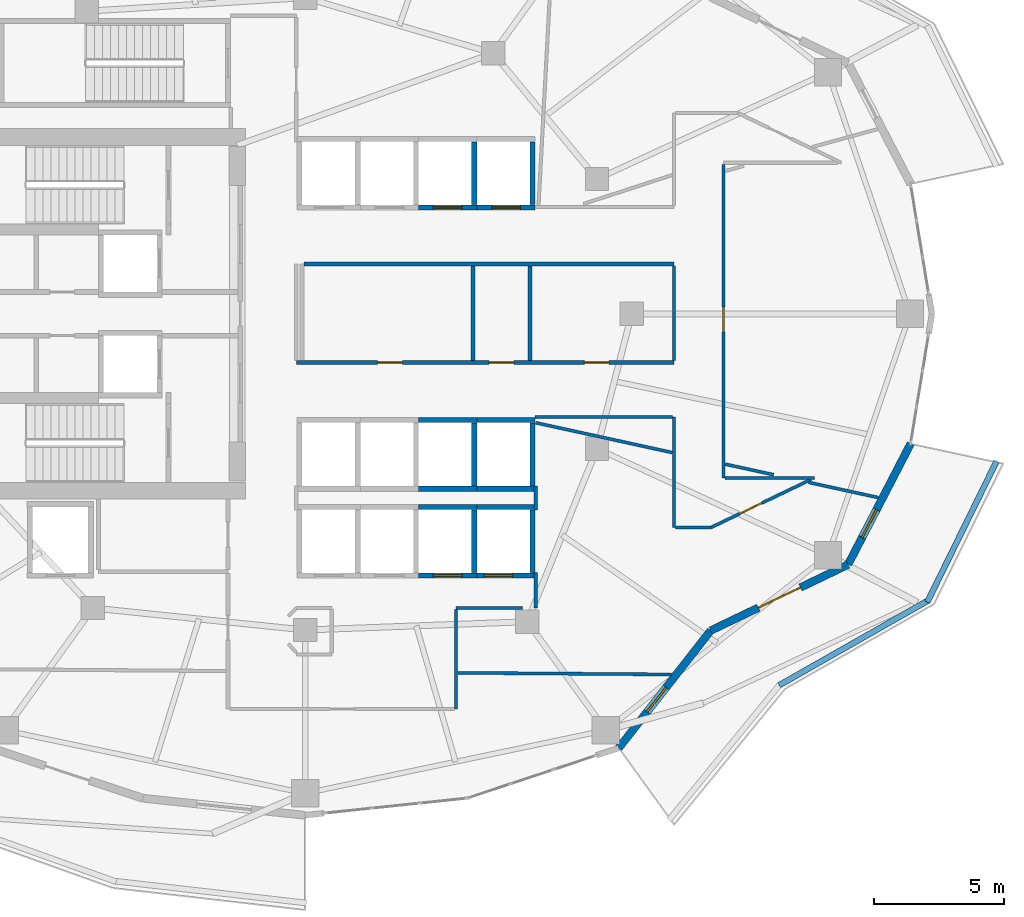
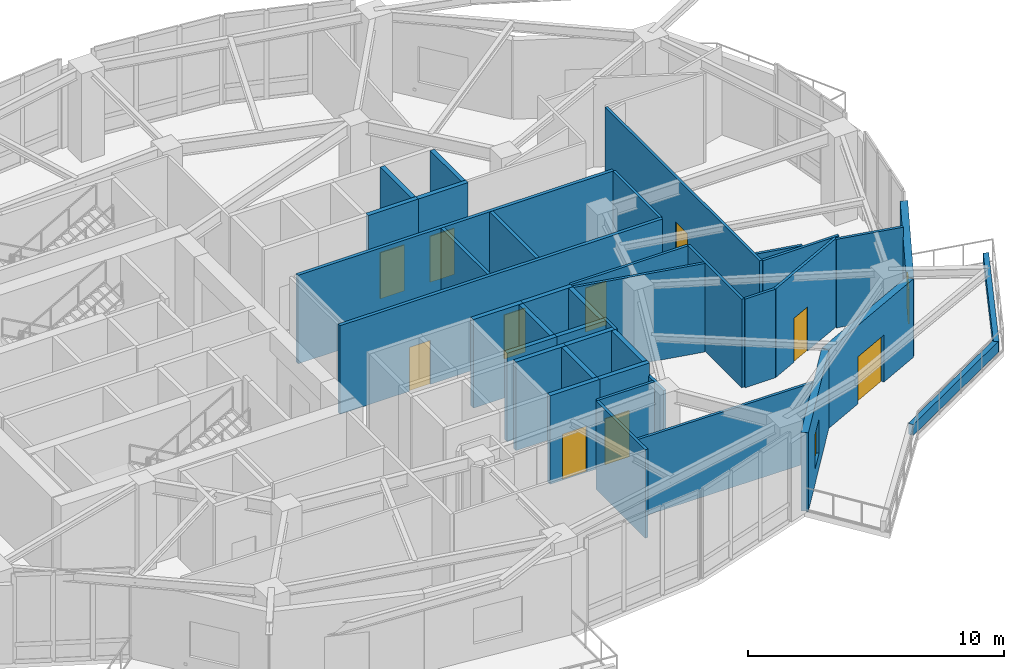
# One storey, part 12 of 16: 40 walls, 10 doors, 2 windows, 12 openings.
"""IFC4 building model written with IfcOpenShell, lengths in metres."""

from ifc_helpers import new_model, si_unit, direction, frame, frame_2d, origin, place, context, subcontext, project, spatial, rectangle, extrude, material, layer, layer_set, type_object, element, fill, save


model = new_model("IFC4")

# Units and contexts
model_context = context("Model", 3, precision=1e-05, world=origin(), true_north=direction((0.0, 1.0)))
body_context = subcontext(model_context, "Body", "Model", "MODEL_VIEW")
ifc_project = project(units=[si_unit("LENGTHUNIT", "METRE"), si_unit("AREAUNIT", "SQUARE_METRE"), si_unit("VOLUMEUNIT", "CUBIC_METRE"), si_unit("PLANEANGLEUNIT", "RADIAN"), si_unit("MASSUNIT", "GRAM", prefix="KILO")], contexts=[model_context])

# Site, building, storey
site_placement = place(None, origin())
site = spatial("IfcSite", under=ifc_project, at=site_placement, CompositionType="ELEMENT")
building_placement = place(site_placement, origin())
building = spatial("IfcBuilding", under=site, at=building_placement, Name="Kolvaren Gate Tower and Convention Centre", CompositionType="ELEMENT")
storey_placement = place(building_placement, frame((0.0, 0.0, 100.800048828125)))
storey = spatial("IfcBuildingStorey", under=building, at=storey_placement, Name="L24", CompositionType="ELEMENT", Elevation=100.800048828125)

# Walls
ifc_material_1 = material(Name="Fire-Rated Acoustic Gypsum Stud Partition", Category="gypsum")
ifc_layer_1 = layer(ifc_material_1, 0.1201171875)
ifc_layer_set_1 = layer_set([ifc_layer_1], Name="Fire-Rated Acoustic Gypsum Stud Partition")
wall_type_1 = type_object("IfcWallType", Name="ARCH-WL-PART-120", PredefinedType="PARTITIONING", material=ifc_layer_set_1)
wall_1_placement = place(storey_placement, frame((35.949951171875, 15.64990234375, 0.0), z_axis=(0.0, 0.0, 1.0), x_axis=(1.0, 0.0, 0.0)))
element("IfcWall", 1, at=wall_1_placement, inside=storey, type_object=wall_type_1, Name="Interior Partition WL-L24-INT-018", PredefinedType="PARTITIONING", context=body_context, shape_type="SweptSolid", body=[
    extrude(rectangle(XDim=2.568115234375, YDim=0.1201171875, at=frame_2d((1.2841796875, 0.0))), origin(), (0.0, 0.0, 1.0), 4.22998046875),
])
wall_2_placement = place(storey_placement, frame((35.949951171875, 11.75, 0.0), z_axis=(0.0, 0.0, 1.0), x_axis=(0.0, 1.0, 0.0)))
element("IfcWall", 2, at=wall_2_placement, inside=storey, type_object=wall_type_1, Name="Interior Partition WL-L24-INT-019", PredefinedType="PARTITIONING", context=body_context, shape_type="SweptSolid", body=[
    extrude(rectangle(XDim=3.837890625, YDim=0.1201171875, at=frame_2d((1.9189453125, 0.0))), origin(), (0.0, 0.0, 1.0), 4.22998046875),
])
wall_3_placement = place(storey_placement, frame((44.35009765625, 18.75, 0.0), z_axis=(0.0, 0.0, 1.0), x_axis=(0.0, 1.0, 0.0)))
element("IfcWall", 3, at=wall_3_placement, inside=storey, type_object=wall_type_1, Name="Interior Partition WL-L24-INT-027", PredefinedType="PARTITIONING", context=body_context, shape_type="SweptSolid", body=[
    extrude(rectangle(XDim=4.27001953125, YDim=0.1201171875, at=frame_2d((2.135009765625, 0.0))), origin(), (0.0, 0.0, 1.0), 4.22998046875),
])
wall_4_placement = place(storey_placement, frame((44.35009765625, 25.197021484375, 0.0), z_axis=(0.0, 0.0, 1.0), x_axis=(0.0, 1.0, 0.0)))
element("IfcWall", 4, at=wall_4_placement, inside=storey, type_object=wall_type_1, Name="Interior Partition WL-L24-INT-028", PredefinedType="PARTITIONING", context=body_context, shape_type="SweptSolid", body=[
    extrude(rectangle(XDim=3.64599609375, YDim=0.1201171875, at=frame_2d((1.822998046875, 0.0))), origin(), (0.0, 0.0, 1.0), 4.22998046875),
])

# Wall, opening, door
wall_5_placement = place(storey_placement, frame((46.27001953125, 20.669921875, 0.0), z_axis=(0.0, 0.0, 1.0), x_axis=(0.0, 1.0, 0.0)))
wall_5 = element("IfcWall", 5, at=wall_5_placement, inside=storey, type_object=wall_type_1, Name="Interior Partition WL-L24-INT-033", PredefinedType="PARTITIONING", context=body_context, shape_type="SweptSolid", body=[
    extrude(rectangle(XDim=12.09814453125, YDim=0.1201171875, at=frame_2d((6.049072265625, 0.0))), origin(), (0.0, 0.0, 1.0), 4.22998046875),
])
opening_1_placement = place(wall_5_placement, frame((5.63720703125, 0.0, 0.0)))
opening_1 = element("IfcOpeningElement", 6, at=opening_1_placement, cuts=wall_5, Name="Opening DR-01", PredefinedType="OPENING", context=body_context, shape_type="SweptSolid", body=[
    extrude(rectangle(XDim=0.949951171875, YDim=2.10009765625, at=frame_2d((0.47509765625, 1.050048828125))), frame((0.0, 0.070068359375, 0.0), z_axis=(0.0, -1.0, 0.0), x_axis=(1.0, 0.0, 0.0)), (0.0, 0.0, 1.0), 0.14013671875),
])
ifc_material_2 = material(Name="Painted Architectural Steelwork ASTM A500 Grade C 345 MPa", Category="steel")
door_type_1 = type_object("IfcDoorType", Name="ARCH-DR-RISER-950", OperationType="SINGLE_SWING_RIGHT", PredefinedType="DOOR", material=ifc_material_2)
door_1_placement = place(opening_1_placement, origin())
door_1 = element("IfcDoor", 7, at=door_1_placement, inside=storey, type_object=door_type_1, Name="Botanical Reading Clubroom Door", OperationType="SINGLE_SWING_RIGHT", OverallHeight=2.10009765625, OverallWidth=0.949951171875, PredefinedType="DOOR", context=body_context, shape_type="SweptSolid", body=[
    extrude(rectangle(XDim=0.949951171875, YDim=2.10009765625, at=frame_2d((0.47509765625, 1.050048828125))), frame((0.0, 0.02490234375, 0.0), z_axis=(0.0, -1.0, 0.0), x_axis=(1.0, 0.0, 0.0)), (0.0, 0.0, 1.0), 0.050048828125),
])
fill(opening_1, door_1)

# Wall
wall_6_placement = place(storey_placement, frame((46.33203125, 20.669921875, 0.0), z_axis=(0.0, 0.0, 1.0), x_axis=(1.0, 0.0, 0.0)))
element("IfcWall", 8, at=wall_6_placement, inside=storey, type_object=wall_type_1, Name="Interior Partition WL-L24-INT-034", PredefinedType="PARTITIONING", context=body_context, shape_type="SweptSolid", body=[
    extrude(rectangle(XDim=3.43505859375, YDim=0.1201171875, at=frame_2d((1.717529296875, 0.0))), origin(), (0.0, 0.0, 1.0), 4.22998046875),
])

# Wall, opening, door
wall_7_placement = place(storey_placement, frame((45.77099609375, 18.75, 0.0), z_axis=(0.0, 0.0, 1.0), x_axis=(0.901361373705, 0.433067747578, 0.0)))
wall_7 = element("IfcWall", 9, at=wall_7_placement, inside=storey, type_object=wall_type_1, Name="Interior Partition WL-L24-INT-035", PredefinedType="PARTITIONING", context=body_context, shape_type="SweptSolid", body=[
    extrude(rectangle(XDim=4.2900390625, YDim=0.1201171875, at=frame_2d((2.14501953125, 0.0))), origin(), (0.0, 0.0, 1.0), 4.22998046875),
])
opening_2_placement = place(wall_7_placement, frame((1.25, 0.0, 0.0)))
opening_2 = element("IfcOpeningElement", 10, at=opening_2_placement, cuts=wall_7, Name="Opening DR-01", PredefinedType="OPENING", context=body_context, shape_type="SweptSolid", body=[
    extrude(rectangle(XDim=0.949951171875, YDim=2.10009765625, at=frame_2d((0.47509765625, 1.050048828125))), frame((0.0, 0.070068359375, 0.0), z_axis=(0.0, -1.0, 0.0), x_axis=(1.0, 0.0, 0.0)), (0.0, 0.0, 1.0), 0.14013671875),
])
door_2_placement = place(opening_2_placement, origin())
door_2 = element("IfcDoor", 11, at=door_2_placement, inside=storey, type_object=door_type_1, Name="Sky Transfer Concierge Foyer Door", OperationType="SINGLE_SWING_LEFT", OverallHeight=2.10009765625, OverallWidth=0.949951171875, PredefinedType="DOOR", context=body_context, shape_type="SweptSolid", body=[
    extrude(rectangle(XDim=0.949951171875, YDim=2.10009765625, at=frame_2d((0.47509765625, 1.050048828125))), frame((0.0, 0.02490234375, 0.0), z_axis=(0.0, -1.0, 0.0), x_axis=(1.0, 0.0, 0.0)), (0.0, 0.0, 1.0), 0.050048828125),
])
fill(opening_2, door_2)

# Walls
wall_8_placement = place(storey_placement, frame((44.412109375, 18.75, 0.0), z_axis=(0.0, 0.0, 1.0), x_axis=(1.0, 0.0, 0.0)))
element("IfcWall", 12, at=wall_8_placement, inside=storey, type_object=wall_type_1, Name="Interior Partition WL-L24-INT-036", PredefinedType="PARTITIONING", context=body_context, shape_type="SweptSolid", body=[
    extrude(rectangle(XDim=1.35888671875, YDim=0.1201171875, at=frame_2d((0.679443359375, 0.0))), origin(), (0.0, 0.0, 1.0), 4.22998046875),
])
wall_9_placement = place(storey_placement, frame((39.0, 23.02001953125, 0.0), z_axis=(0.0, 0.0, 1.0), x_axis=(1.0, 0.0, 0.0)))
element("IfcWall", 13, at=wall_9_placement, inside=storey, type_object=wall_type_1, Name="Interior Partition WL-L24-INT-037", PredefinedType="PARTITIONING", context=body_context, shape_type="SweptSolid", body=[
    extrude(rectangle(XDim=5.2880859375, YDim=0.1201171875, at=frame_2d((2.64404296875, 0.0))), origin(), (0.0, 0.0, 1.0), 4.22998046875),
])
wall_10_placement = place(storey_placement, frame((39.02001953125, 15.64990234375, 0.0), z_axis=(0.0, 0.0, 1.0), x_axis=(0.0, 1.0, 0.0)))
element("IfcWall", 14, at=wall_10_placement, inside=storey, type_object=wall_type_1, Name="Interior Partition WL-L24-INT-038", PredefinedType="PARTITIONING", context=body_context, shape_type="SweptSolid", body=[
    extrude(rectangle(XDim=1.360107421875, YDim=0.1201171875, at=frame_2d((0.68017578125, 0.0))), origin(), (0.0, 0.0, 1.0), 3.60498046875),
])
wall_11_placement = place(storey_placement, frame((39.02001953125, 19.43994140625, 0.0), z_axis=(0.0, 0.0, 1.0), x_axis=(0.0, 1.0, 0.0)))
element("IfcWall", 15, at=wall_11_placement, inside=storey, type_object=wall_type_1, Name="Interior Partition WL-L24-INT-038 (2)", PredefinedType="PARTITIONING", context=body_context, shape_type="SweptSolid", body=[
    extrude(rectangle(XDim=0.920166015625, YDim=0.1201171875, at=frame_2d((0.4599609375, 0.0))), origin(), (0.0, 0.0, 1.0), 4.22998046875),
])
wall_12_placement = place(storey_placement, frame((39.02001953125, 22.796875, 0.0), z_axis=(0.0, 0.0, 1.0), x_axis=(0.976958463648, -0.213429520699, 0.0)))
element("IfcWall", 16, at=wall_12_placement, inside=storey, type_object=wall_type_1, Name="Interior Partition WL-L24-INT-044", PredefinedType="PARTITIONING", context=body_context, shape_type="SweptSolid", body=[
    extrude(rectangle(XDim=5.392333984375, YDim=0.1201171875, at=frame_2d((2.6962890625, 0.0))), origin(), (0.0, 0.0, 1.0), 4.22998046875),
])
wall_13_placement = place(storey_placement, frame((46.33203125, 21.19921875, 0.0), z_axis=(0.0, 0.0, 1.0), x_axis=(0.976969234372, -0.213380212509, 0.0)))
element("IfcWall", 17, at=wall_13_placement, inside=storey, type_object=wall_type_1, Name="Interior Partition WL-L24-INT-045", PredefinedType="PARTITIONING", context=body_context, shape_type="SweptSolid", body=[
    extrude(rectangle(XDim=1.908447265625, YDim=0.1201171875, at=frame_2d((0.9541015625, 0.0))), origin(), (0.0, 0.0, 1.0), 4.22998046875),
])
wall_14_placement = place(storey_placement, frame((49.549072265625, 20.49658203125, 0.0), z_axis=(0.0, 0.0, 1.0), x_axis=(0.97693240482, -0.213548768229, 0.0)))
element("IfcWall", 18, at=wall_14_placement, inside=storey, type_object=wall_type_1, Name="Interior Partition WL-L24-INT-046", PredefinedType="PARTITIONING", context=body_context, shape_type="SweptSolid", body=[
    extrude(rectangle(XDim=2.7529296875, YDim=0.1201171875, at=frame_2d((1.37646484375, 0.0))), origin(), (0.0, 0.0, 1.0), 4.22998046875),
])
wall_15_placement = place(storey_placement, frame((36.011962890625, 13.147705078125, 0.0), z_axis=(0.0, 0.0, 1.0), x_axis=(0.999970319002, -0.007704616475, 0.0)))
element("IfcWall", 19, at=wall_15_placement, inside=storey, type_object=wall_type_1, Name="Interior Partition WL-L24-INT-048", PredefinedType="PARTITIONING", context=body_context, shape_type="SweptSolid", body=[
    extrude(rectangle(XDim=8.23876953125, YDim=0.1201171875, at=frame_2d((4.119384765625, 0.0))), origin(), (0.0, 0.0, 1.0), 3.7529296875),
])
ifc_material_3 = material(Name="Piedmont Cream Honed Limestone Cladding", Category="masonry")
ifc_layer_2 = layer(ifc_material_3, 0.219970703125)
ifc_layer_set_2 = layer_set([ifc_layer_2], Name="Piedmont Cream Honed Limestone Cladding")
wall_type_2 = type_object("IfcWallType", Name="ARCH-WL-PLANTER-220", PredefinedType="PARAPET", material=ifc_layer_set_2)
wall_16_placement = place(storey_placement, frame((48.41259765625, 12.667724609375, 0.0), z_axis=(0.0, 0.0, 1.0), x_axis=(0.869187658335, 0.494482370361, 0.0)))
element("IfcWall", 20, at=wall_16_placement, inside=storey, type_object=wall_type_2, Name="Vertical-Forest Balcony Stone Planter Kerb PK-L24-4.2", PredefinedType="PARAPET", context=body_context, shape_type="SweptSolid", body=[
    extrude(rectangle(XDim=6.606201171875, YDim=0.219970703125, at=frame_2d((3.30322265625, 0.0))), origin(), (0.0, 0.0, 1.0), 0.52001953125),
])
wall_17_placement = place(storey_placement, frame((54.12890625, 15.87841796875, 0.0), z_axis=(0.0, 0.0, 1.0), x_axis=(0.441269631716, 0.897374566235, 0.0)))
element("IfcWall", 21, at=wall_17_placement, inside=storey, type_object=wall_type_2, Name="Vertical-Forest Balcony Stone Planter Kerb PK-L24-4.3", PredefinedType="PARAPET", context=body_context, shape_type="SweptSolid", body=[
    extrude(rectangle(XDim=6.05615234375, YDim=0.219970703125, at=frame_2d((3.028076171875, 0.0))), origin(), (0.0, 0.0, 1.0), 0.52001953125),
])

# Wall, opening, door
ifc_material_4 = material(Name="Autoclaved Aerated Masonry Blockwork Class 4 (4.0 MPa)", Category="masonry")
ifc_layer_3 = layer(ifc_material_4, 0.199951171875)
ifc_layer_set_3 = layer_set([ifc_layer_3], Name="Autoclaved Aerated Masonry Blockwork Class 4 (4.0 MPa)")
wall_type_3 = type_object("IfcWallType", Name="ARCH-WL-SHAFT-200", PredefinedType="SOLIDWALL", material=ifc_layer_set_3)
wall_18_placement = place(storey_placement, frame((34.5, 31.10009765625, 0.0), z_axis=(0.0, 0.0, 1.0), x_axis=(1.0, 0.0, 0.0)))
wall_18 = element("IfcWall", 22, at=wall_18_placement, inside=storey, type_object=wall_type_3, Name="Elevator PL-03 L24 Fire Shaft Wall S", PredefinedType="SOLIDWALL", context=body_context, shape_type="SweptSolid", body=[
    extrude(rectangle(XDim=2.25, YDim=0.199951171875, at=frame_2d((1.125, 0.0))), origin(), (0.0, 0.0, 1.0), 4.22998046875),
])
opening_3_placement = place(wall_18_placement, frame((0.574951171875, 0.0, 0.0)))
opening_3 = element("IfcOpeningElement", 23, at=opening_3_placement, cuts=wall_18, Name="Opening LD", PredefinedType="OPENING", context=body_context, shape_type="SweptSolid", body=[
    extrude(rectangle(XDim=1.10009765625, YDim=2.199951171875, at=frame_2d((0.550048828125, 1.10009765625))), frame((0.0, 0.10986328125, 0.0), z_axis=(0.0, -1.0, 0.0), x_axis=(1.0, 0.0, 0.0)), (0.0, 0.0, 1.0), 0.219970703125),
])
ifc_material_5 = material(Name="Brushed Stainless Steel Grade 316L", Category="steel")
door_type_2 = type_object("IfcDoorType", Name="ARCH-DR-LIFT-1100", OperationType="SLIDING_TO_LEFT", PredefinedType="DOOR", material=ifc_material_5)
door_3_placement = place(opening_3_placement, origin())
door_3 = element("IfcDoor", 24, at=door_3_placement, inside=storey, type_object=door_type_2, Name="Elevator PL-03 L24 Sliding Landing Door", OperationType="SLIDING_TO_LEFT", OverallHeight=2.199951171875, OverallWidth=1.10009765625, PredefinedType="DOOR", context=body_context, shape_type="SweptSolid", body=[
    extrude(rectangle(XDim=1.10009765625, YDim=2.199951171875, at=frame_2d((0.550048828125, 1.10009765625))), frame((0.0, 0.02490234375, 0.0), z_axis=(0.0, -1.0, 0.0), x_axis=(1.0, 0.0, 0.0)), (0.0, 0.0, 1.0), 0.050048828125),
])
fill(opening_3, door_3)

# Wall
wall_19_placement = place(storey_placement, frame((36.64990234375, 31.2099609375, 0.0), z_axis=(0.0, 0.0, 1.0), x_axis=(0.0, 1.0, 0.0)))
element("IfcWall", 25, at=wall_19_placement, inside=storey, type_object=wall_type_3, Name="Elevator PL-03 L24 Fire Shaft Wall E", PredefinedType="SOLIDWALL", context=body_context, shape_type="SweptSolid", body=[
    extrude(rectangle(XDim=2.429931640625, YDim=0.199951171875, at=frame_2d((1.21484375, 0.0))), origin(), (0.0, 0.0, 1.0), 4.22998046875),
])

# Wall, opening, door
wall_20_placement = place(storey_placement, frame((36.75, 31.10009765625, 0.0), z_axis=(0.0, 0.0, 1.0), x_axis=(1.0, 0.0, 0.0)))
wall_20 = element("IfcWall", 26, at=wall_20_placement, inside=storey, type_object=wall_type_3, Name="Elevator PL-04 L24 Fire Shaft Wall S", PredefinedType="SOLIDWALL", context=body_context, shape_type="SweptSolid", body=[
    extrude(rectangle(XDim=2.25, YDim=0.199951171875, at=frame_2d((1.125, 0.0))), origin(), (0.0, 0.0, 1.0), 4.22998046875),
])
opening_4_placement = place(wall_20_placement, frame((0.574951171875, 0.0, 0.0)))
opening_4 = element("IfcOpeningElement", 27, at=opening_4_placement, cuts=wall_20, Name="Opening LD", PredefinedType="OPENING", context=body_context, shape_type="SweptSolid", body=[
    extrude(rectangle(XDim=1.10009765625, YDim=2.199951171875, at=frame_2d((0.550048828125, 1.10009765625))), frame((0.0, 0.10986328125, 0.0), z_axis=(0.0, -1.0, 0.0), x_axis=(1.0, 0.0, 0.0)), (0.0, 0.0, 1.0), 0.219970703125),
])
door_4_placement = place(opening_4_placement, origin())
door_4 = element("IfcDoor", 28, at=door_4_placement, inside=storey, type_object=door_type_2, Name="Elevator PL-04 L24 Sliding Landing Door", OperationType="SLIDING_TO_LEFT", OverallHeight=2.199951171875, OverallWidth=1.10009765625, PredefinedType="DOOR", context=body_context, shape_type="SweptSolid", body=[
    extrude(rectangle(XDim=1.10009765625, YDim=2.199951171875, at=frame_2d((0.550048828125, 1.10009765625))), frame((0.0, 0.02490234375, 0.0), z_axis=(0.0, -1.0, 0.0), x_axis=(1.0, 0.0, 0.0)), (0.0, 0.0, 1.0), 0.050048828125),
])
fill(opening_4, door_4)

# Walls
wall_21_placement = place(storey_placement, frame((38.89990234375, 31.2099609375, 0.0), z_axis=(0.0, 0.0, 1.0), x_axis=(0.0, 1.0, 0.0)))
element("IfcWall", 29, at=wall_21_placement, inside=storey, type_object=wall_type_3, Name="Elevator PL-04 L24 Fire Shaft Wall E", PredefinedType="SOLIDWALL", context=body_context, shape_type="SweptSolid", body=[
    extrude(rectangle(XDim=2.429931640625, YDim=0.199951171875, at=frame_2d((1.21484375, 0.0))), origin(), (0.0, 0.0, 1.0), 4.22998046875),
])
wall_22_placement = place(storey_placement, frame((34.5, 19.550048828125, 0.0), z_axis=(0.0, 0.0, 1.0), x_axis=(1.0, 0.0, 0.0)))
element("IfcWall", 30, at=wall_22_placement, inside=storey, type_object=wall_type_3, Name="Elevator PL-07 L24 Fire Shaft Wall N", PredefinedType="SOLIDWALL", context=body_context, shape_type="SweptSolid", body=[
    extrude(rectangle(XDim=2.25, YDim=0.199951171875, at=frame_2d((1.125, 0.0))), origin(), (0.0, 0.0, 1.0), 4.22998046875),
])

# Wall, opening, door
wall_23_placement = place(storey_placement, frame((34.5, 16.89990234375, 0.0), z_axis=(0.0, 0.0, 1.0), x_axis=(1.0, 0.0, 0.0)))
wall_23 = element("IfcWall", 31, at=wall_23_placement, inside=storey, type_object=wall_type_3, Name="Elevator PL-07 L24 Fire Shaft Wall S", PredefinedType="SOLIDWALL", context=body_context, shape_type="SweptSolid", body=[
    extrude(rectangle(XDim=2.25, YDim=0.199951171875, at=frame_2d((1.125, 0.0))), origin(), (0.0, 0.0, 1.0), 4.22998046875),
])
opening_5_placement = place(wall_23_placement, frame((0.574951171875, 0.0, 0.0)))
opening_5 = element("IfcOpeningElement", 32, at=opening_5_placement, cuts=wall_23, Name="Opening LD", PredefinedType="OPENING", context=body_context, shape_type="SweptSolid", body=[
    extrude(rectangle(XDim=1.10009765625, YDim=2.199951171875, at=frame_2d((0.550048828125, 1.10009765625))), frame((0.0, 0.10986328125, 0.0), z_axis=(0.0, -1.0, 0.0), x_axis=(1.0, 0.0, 0.0)), (0.0, 0.0, 1.0), 0.219970703125),
])
door_5_placement = place(opening_5_placement, origin())
door_5 = element("IfcDoor", 33, at=door_5_placement, inside=storey, type_object=door_type_2, Name="Elevator PL-07 L24 Sliding Landing Door", OperationType="SLIDING_TO_LEFT", OverallHeight=2.199951171875, OverallWidth=1.10009765625, PredefinedType="DOOR", context=body_context, shape_type="SweptSolid", body=[
    extrude(rectangle(XDim=1.10009765625, YDim=2.199951171875, at=frame_2d((0.550048828125, 1.10009765625))), frame((0.0, 0.02490234375, 0.0), z_axis=(0.0, -1.0, 0.0), x_axis=(1.0, 0.0, 0.0)), (0.0, 0.0, 1.0), 0.050048828125),
])
fill(opening_5, door_5)

# Walls
wall_24_placement = place(storey_placement, frame((36.64990234375, 17.010009765625, 0.0), z_axis=(0.0, 0.0, 1.0), x_axis=(0.0, 1.0, 0.0)))
element("IfcWall", 34, at=wall_24_placement, inside=storey, type_object=wall_type_3, Name="Elevator PL-07 L24 Fire Shaft Wall E", PredefinedType="SOLIDWALL", context=body_context, shape_type="SweptSolid", body=[
    extrude(rectangle(XDim=2.429931640625, YDim=0.199951171875, at=frame_2d((1.21484375, 0.0))), origin(), (0.0, 0.0, 1.0), 4.22998046875),
])
wall_25_placement = place(storey_placement, frame((36.75, 19.550048828125, 0.0), z_axis=(0.0, 0.0, 1.0), x_axis=(1.0, 0.0, 0.0)))
element("IfcWall", 35, at=wall_25_placement, inside=storey, type_object=wall_type_3, Name="Elevator PL-08 L24 Fire Shaft Wall N", PredefinedType="SOLIDWALL", context=body_context, shape_type="SweptSolid", body=[
    extrude(rectangle(XDim=2.25, YDim=0.199951171875, at=frame_2d((1.125, 0.0))), origin(), (0.0, 0.0, 1.0), 4.22998046875),
])

# Wall, opening, door
wall_26_placement = place(storey_placement, frame((36.75, 16.89990234375, 0.0), z_axis=(0.0, 0.0, 1.0), x_axis=(1.0, 0.0, 0.0)))
wall_26 = element("IfcWall", 36, at=wall_26_placement, inside=storey, type_object=wall_type_3, Name="Elevator PL-08 L24 Fire Shaft Wall S", PredefinedType="SOLIDWALL", context=body_context, shape_type="SweptSolid", body=[
    extrude(rectangle(XDim=2.25, YDim=0.199951171875, at=frame_2d((1.125, 0.0))), origin(), (0.0, 0.0, 1.0), 4.22998046875),
])
opening_6_placement = place(wall_26_placement, frame((0.280029296875, 0.0, 0.0)))
opening_6 = element("IfcOpeningElement", 37, at=opening_6_placement, cuts=wall_26, Name="Opening LD", PredefinedType="OPENING", context=body_context, shape_type="SweptSolid", body=[
    extrude(rectangle(XDim=1.10009765625, YDim=2.199951171875, at=frame_2d((0.550048828125, 1.10009765625))), frame((0.0, 0.10986328125, 0.0), z_axis=(0.0, -1.0, 0.0), x_axis=(1.0, 0.0, 0.0)), (0.0, 0.0, 1.0), 0.219970703125),
])
door_6_placement = place(opening_6_placement, origin())
door_6 = element("IfcDoor", 38, at=door_6_placement, inside=storey, type_object=door_type_2, Name="Elevator PL-08 L24 Sliding Landing Door", OperationType="SLIDING_TO_LEFT", OverallHeight=2.199951171875, OverallWidth=1.10009765625, PredefinedType="DOOR", context=body_context, shape_type="SweptSolid", body=[
    extrude(rectangle(XDim=1.10009765625, YDim=2.199951171875, at=frame_2d((0.550048828125, 1.10009765625))), frame((0.0, 0.02490234375, 0.0), z_axis=(0.0, -1.0, 0.0), x_axis=(1.0, 0.0, 0.0)), (0.0, 0.0, 1.0), 0.050048828125),
])
fill(opening_6, door_6)

# Walls
wall_27_placement = place(storey_placement, frame((38.89990234375, 17.010009765625, 0.0), z_axis=(0.0, 0.0, 1.0), x_axis=(0.0, 1.0, 0.0)))
element("IfcWall", 39, at=wall_27_placement, inside=storey, type_object=wall_type_3, Name="Elevator PL-08 L24 Fire Shaft Wall E", PredefinedType="SOLIDWALL", context=body_context, shape_type="SweptSolid", body=[
    extrude(rectangle(XDim=2.429931640625, YDim=0.199951171875, at=frame_2d((1.21484375, 0.0))), origin(), (0.0, 0.0, 1.0), 4.22998046875),
])
for number, where, z_axis, x_axis, name in (
    (40, (34.5, 22.89990234375, 0.0), (0.0, 0.0, 1.0), (1.0, 0.0, 0.0), "Elevator PL-11 L24 Fire Shaft Wall N"),
    (41, (34.5, 20.25, 0.0), (0.0, 0.0, 1.0), (1.0, 0.0, 0.0), "Elevator PL-11 L24 Fire Shaft Wall S"),
):
    element("IfcWall", number, at=place(storey_placement, frame(where, z_axis=z_axis, x_axis=x_axis)), inside=storey, type_object=wall_type_3, Name=name, PredefinedType="SOLIDWALL", context=body_context, shape_type="SweptSolid", body=[
        extrude(rectangle(XDim=2.25, YDim=0.199951171875, at=frame_2d((1.125, 0.0))), origin(), (0.0, 0.0, 1.0), 4.22998046875),
    ])
wall_28_placement = place(storey_placement, frame((36.64990234375, 20.360107421875, 0.0), z_axis=(0.0, 0.0, 1.0), x_axis=(0.0, 1.0, 0.0)))
element("IfcWall", 42, at=wall_28_placement, inside=storey, type_object=wall_type_3, Name="Elevator PL-11 L24 Fire Shaft Wall E", PredefinedType="SOLIDWALL", context=body_context, shape_type="SweptSolid", body=[
    extrude(rectangle(XDim=2.429931640625, YDim=0.199951171875, at=frame_2d((1.21484375, 0.0))), origin(), (0.0, 0.0, 1.0), 4.22998046875),
])
for number, where, z_axis, x_axis, name in (
    (43, (36.75, 22.89990234375, 0.0), (0.0, 0.0, 1.0), (1.0, 0.0, 0.0), "Elevator PL-12 L24 Fire Shaft Wall N"),
    (44, (36.75, 20.25, 0.0), (0.0, 0.0, 1.0), (1.0, 0.0, 0.0), "Elevator PL-12 L24 Fire Shaft Wall S"),
):
    element("IfcWall", number, at=place(storey_placement, frame(where, z_axis=z_axis, x_axis=x_axis)), inside=storey, type_object=wall_type_3, Name=name, PredefinedType="SOLIDWALL", context=body_context, shape_type="SweptSolid", body=[
        extrude(rectangle(XDim=2.25, YDim=0.199951171875, at=frame_2d((1.125, 0.0))), origin(), (0.0, 0.0, 1.0), 4.22998046875),
    ])
wall_29_placement = place(storey_placement, frame((38.89990234375, 20.360107421875, 0.0), z_axis=(0.0, 0.0, 1.0), x_axis=(0.0, 1.0, 0.0)))
element("IfcWall", 45, at=wall_29_placement, inside=storey, type_object=wall_type_3, Name="Elevator PL-12 L24 Fire Shaft Wall E", PredefinedType="SOLIDWALL", context=body_context, shape_type="SweptSolid", body=[
    extrude(rectangle(XDim=2.429931640625, YDim=0.199951171875, at=frame_2d((1.21484375, 0.0))), origin(), (0.0, 0.0, 1.0), 4.22998046875),
])

# Wall, opening, window
ifc_layer_4 = layer(ifc_material_3, 0.300048828125)
ifc_layer_set_4 = layer_set([ifc_layer_4], Name="Piedmont Cream Honed Limestone Cladding")
wall_type_4 = type_object("IfcWallType", Name="ARCH-WL-STONE-300", PredefinedType="SOLIDWALL", material=ifc_layer_set_4)
wall_30_placement = place(storey_placement, frame((42.21875, 10.242431640625, 0.0), z_axis=(0.0, 0.0, 1.0), x_axis=(0.616435134162, 0.787405693001, 0.0)))
wall_30 = element("IfcWall", 46, at=wall_30_placement, inside=storey, type_object=wall_type_4, Name="Tower L24 Honed Stone Spandrel Wall EW-20", PredefinedType="SOLIDWALL", context=body_context, shape_type="SweptSolid", body=[
    extrude(rectangle(XDim=5.759033203125, YDim=0.300048828125, at=frame_2d((2.87939453125, 0.0))), origin(), (0.0, 0.0, 1.0), 3.7529296875),
])
opening_7_placement = place(wall_30_placement, frame((1.780029296875, 0.0, 0.719970703125)))
opening_7 = element("IfcOpeningElement", 47, at=opening_7_placement, cuts=wall_30, Name="Opening W-04", PredefinedType="OPENING", context=body_context, shape_type="SweptSolid", body=[
    extrude(rectangle(XDim=1.199951171875, YDim=1.64990234375, at=frame_2d((0.60009765625, 0.824951171875))), frame((0.0, 0.159912109375, 0.0), z_axis=(0.0, -1.0, 0.0), x_axis=(1.0, 0.0, 0.0)), (0.0, 0.0, 1.0), 0.320068359375),
])
ifc_material_6 = material(Name="Low-E Triple Insulated Glazing Unit 44 mm", Category="glass")
window_type = type_object("IfcWindowType", Name="ARCH-WN-NARROW-1200", PartitioningType="SINGLE_PANEL", PredefinedType="WINDOW", material=ifc_material_6)
window_1_placement = place(opening_7_placement, origin())
window_1 = element("IfcWindow", 48, at=window_1_placement, inside=storey, type_object=window_type, Name="Tower L24 Punched Stone Facade Window W-20", OverallHeight=1.64990234375, OverallWidth=1.199951171875, PartitioningType="SINGLE_PANEL", PredefinedType="WINDOW", context=body_context, shape_type="SweptSolid", body=[
    extrude(rectangle(XDim=1.199951171875, YDim=1.64990234375, at=frame_2d((0.60009765625, 0.824951171875))), frame((0.0, 0.030029296875, 0.0), z_axis=(0.0, -1.0, 0.0), x_axis=(1.0, 0.0, 0.0)), (0.0, 0.0, 1.0), 0.06005859375),
])
fill(opening_7, window_1)

# Wall, opening, door
wall_31_placement = place(storey_placement, frame((45.768798828125, 14.777099609375, 0.0), z_axis=(0.0, 0.0, 1.0), x_axis=(0.901370184739, 0.433049408339, 0.0)))
wall_31 = element("IfcWall", 49, at=wall_31_placement, inside=storey, type_object=wall_type_4, Name="Tower L24 Honed Stone Spandrel Wall EW-21", PredefinedType="SOLIDWALL", context=body_context, shape_type="SweptSolid", body=[
    extrude(rectangle(XDim=5.883544921875, YDim=0.300048828125, at=frame_2d((2.94189453125, 0.0))), origin(), (0.0, 0.0, 1.0), 3.7529296875),
])
opening_8_placement = place(wall_31_placement, frame((2.0419921875, 0.0, 0.0)))
opening_8 = element("IfcOpeningElement", 50, at=opening_8_placement, cuts=wall_31, Name="Opening DB-01", PredefinedType="OPENING", context=body_context, shape_type="SweptSolid", body=[
    extrude(rectangle(XDim=1.800048828125, YDim=2.25, at=frame_2d((0.89990234375, 1.125))), frame((0.0, 0.159912109375, 0.0), z_axis=(0.0, -1.0, 0.0), x_axis=(1.0, 0.0, 0.0)), (0.0, 0.0, 1.0), 0.320068359375),
])
ifc_material_7 = material(Name="Anodized Architectural Aluminium Alloy 6063-T6", Category="aluminium")
door_type_3 = type_object("IfcDoorType", Name="ARCH-DR-BALC-1800", OperationType="SLIDING_TO_LEFT", PredefinedType="DOOR", material=ifc_material_7)
door_7_placement = place(opening_8_placement, frame((1.800048828125, 0.0, 0.0), z_axis=(0.0, 0.0, 1.0), x_axis=(-1.0, 0.0, 0.0)))
door_7 = element("IfcDoor", 51, at=door_7_placement, inside=storey, type_object=door_type_3, Name="Planted Sky Terrace Access Door DB-L24-21", OperationType="SLIDING_TO_LEFT", OverallHeight=2.25, OverallWidth=1.800048828125, PredefinedType="DOOR", context=body_context, shape_type="SweptSolid", body=[
    extrude(rectangle(XDim=1.800048828125, YDim=2.25, at=frame_2d((0.89990234375, 1.125))), frame((0.0, 0.02490234375, 0.0), z_axis=(0.0, -1.0, 0.0), x_axis=(1.0, 0.0, 0.0)), (0.0, 0.0, 1.0), 0.050048828125),
])
fill(opening_8, door_7)

# Wall, opening, window
wall_32_placement = place(storey_placement, frame((51.072021484375, 17.324951171875, 0.0), z_axis=(0.0, 0.0, 1.0), x_axis=(0.459767899643, 0.888039119892, 0.0)))
wall_32 = element("IfcWall", 52, at=wall_32_placement, inside=storey, type_object=wall_type_4, Name="Tower L24 Honed Stone Spandrel Wall EW-22", PredefinedType="SOLIDWALL", context=body_context, shape_type="SweptSolid", body=[
    extrude(rectangle(XDim=5.25537109375, YDim=0.300048828125, at=frame_2d((2.627685546875, 0.0))), origin(), (0.0, 0.0, 1.0), 3.7529296875),
])
opening_9_placement = place(wall_32_placement, frame((1.179931640625, 0.0, 0.719970703125)))
opening_9 = element("IfcOpeningElement", 53, at=opening_9_placement, cuts=wall_32, Name="Opening W-04", PredefinedType="OPENING", context=body_context, shape_type="SweptSolid", body=[
    extrude(rectangle(XDim=1.199951171875, YDim=1.64990234375, at=frame_2d((0.60009765625, 0.824951171875))), frame((0.0, 0.159912109375, 0.0), z_axis=(0.0, -1.0, 0.0), x_axis=(1.0, 0.0, 0.0)), (0.0, 0.0, 1.0), 0.320068359375),
])
window_2_placement = place(opening_9_placement, origin())
window_2 = element("IfcWindow", 54, at=window_2_placement, inside=storey, type_object=window_type, Name="Tower L24 Punched Stone Facade Window W-22", OverallHeight=1.64990234375, OverallWidth=1.199951171875, PartitioningType="SINGLE_PANEL", PredefinedType="WINDOW", context=body_context, shape_type="SweptSolid", body=[
    extrude(rectangle(XDim=1.199951171875, YDim=1.64990234375, at=frame_2d((0.60009765625, 0.824951171875))), frame((0.0, 0.030029296875, 0.0), z_axis=(0.0, -1.0, 0.0), x_axis=(1.0, 0.0, 0.0)), (0.0, 0.0, 1.0), 0.06005859375),
])
fill(opening_9, window_2)

# Wall, openings, doors
ifc_material_8 = material(Name="Moisture-Resistant Cement-Board Acoustic Partition", Category="gypsum")
ifc_layer_5 = layer(ifc_material_8, 0.14990234375)
ifc_layer_set_5 = layer_set([ifc_layer_5], Name="Moisture-Resistant Cement-Board Acoustic Partition")
wall_type_5 = type_object("IfcWallType", Name="ARCH-WL-WET-150", PredefinedType="PARTITIONING", material=ifc_layer_set_5)
wall_33_placement = place(storey_placement, frame((29.780029296875, 25.1201171875, 0.0), z_axis=(0.0, 0.0, 1.0), x_axis=(1.0, 0.0, 0.0)))
wall_33 = element("IfcWall", 55, at=wall_33_placement, inside=storey, type_object=wall_type_5, Name="Interior Partition WL-L24-INT-012", PredefinedType="PARTITIONING", context=body_context, shape_type="SweptSolid", body=[
    extrude(rectangle(XDim=14.570068359375, YDim=0.14990234375, at=frame_2d((7.28515625, 0.0))), origin(), (0.0, 0.0, 1.0), 4.22998046875),
])
opening_10_placement = place(wall_33_placement, frame((3.139892578125, 0.0, 0.0)))
opening_10 = element("IfcOpeningElement", 56, at=opening_10_placement, cuts=wall_33, Name="Opening DR-01", PredefinedType="OPENING", context=body_context, shape_type="SweptSolid", body=[
    extrude(rectangle(XDim=0.949951171875, YDim=2.10009765625, at=frame_2d((0.47509765625, 1.050048828125))), frame((0.0, 0.0849609375, 0.0), z_axis=(0.0, -1.0, 0.0), x_axis=(1.0, 0.0, 0.0)), (0.0, 0.0, 1.0), 0.169921875),
])
opening_11_placement = place(wall_33_placement, frame((7.445068359375, 0.0, 0.0)))
opening_11 = element("IfcOpeningElement", 57, at=opening_11_placement, cuts=wall_33, Name="Opening DR-01", PredefinedType="OPENING", context=body_context, shape_type="SweptSolid", body=[
    extrude(rectangle(XDim=0.949951171875, YDim=2.10009765625, at=frame_2d((0.47509765625, 1.050048828125))), frame((0.0, 0.0849609375, 0.0), z_axis=(0.0, -1.0, 0.0), x_axis=(1.0, 0.0, 0.0)), (0.0, 0.0, 1.0), 0.169921875),
])
opening_12_placement = place(wall_33_placement, frame((11.114990234375, 0.0, 0.0)))
opening_12 = element("IfcOpeningElement", 58, at=opening_12_placement, cuts=wall_33, Name="Opening DR-01", PredefinedType="OPENING", context=body_context, shape_type="SweptSolid", body=[
    extrude(rectangle(XDim=0.949951171875, YDim=2.10009765625, at=frame_2d((0.47509765625, 1.050048828125))), frame((0.0, 0.0849609375, 0.0), z_axis=(0.0, -1.0, 0.0), x_axis=(1.0, 0.0, 0.0)), (0.0, 0.0, 1.0), 0.169921875),
])
door_8_placement = place(opening_10_placement, origin())
door_8 = element("IfcDoor", 59, at=door_8_placement, inside=storey, type_object=door_type_1, Name="Accessible Universal Washroom Door", OperationType="SINGLE_SWING_LEFT", OverallHeight=2.10009765625, OverallWidth=0.949951171875, PredefinedType="DOOR", context=body_context, shape_type="SweptSolid", body=[
    extrude(rectangle(XDim=0.949951171875, YDim=2.10009765625, at=frame_2d((0.47509765625, 1.050048828125))), frame((0.0, 0.02490234375, 0.0), z_axis=(0.0, -1.0, 0.0), x_axis=(1.0, 0.0, 0.0)), (0.0, 0.0, 1.0), 0.050048828125),
])
fill(opening_10, door_8)
door_9_placement = place(opening_11_placement, origin())
door_9 = element("IfcDoor", 60, at=door_9_placement, inside=storey, type_object=door_type_1, Name="Floor Janitor and Supply Store Door", OperationType="SINGLE_SWING_RIGHT", OverallHeight=2.10009765625, OverallWidth=0.949951171875, PredefinedType="DOOR", context=body_context, shape_type="SweptSolid", body=[
    extrude(rectangle(XDim=0.949951171875, YDim=2.10009765625, at=frame_2d((0.47509765625, 1.050048828125))), frame((0.0, 0.02490234375, 0.0), z_axis=(0.0, -1.0, 0.0), x_axis=(1.0, 0.0, 0.0)), (0.0, 0.0, 1.0), 0.050048828125),
])
fill(opening_11, door_9)
door_10_placement = place(opening_12_placement, origin())
door_10 = element("IfcDoor", 61, at=door_10_placement, inside=storey, type_object=door_type_1, Name="Sky Lobby Tea Lounge Door", OperationType="SINGLE_SWING_LEFT", OverallHeight=2.10009765625, OverallWidth=0.949951171875, PredefinedType="DOOR", context=body_context, shape_type="SweptSolid", body=[
    extrude(rectangle(XDim=0.949951171875, YDim=2.10009765625, at=frame_2d((0.47509765625, 1.050048828125))), frame((0.0, 0.02490234375, 0.0), z_axis=(0.0, -1.0, 0.0), x_axis=(1.0, 0.0, 0.0)), (0.0, 0.0, 1.0), 0.050048828125),
])
fill(opening_12, door_10)

# Walls
wall_34_placement = place(storey_placement, frame((30.076904296875, 28.919921875, 0.0), z_axis=(0.0, 0.0, 1.0), x_axis=(1.0, 0.0, 0.0)))
element("IfcWall", 62, at=wall_34_placement, inside=storey, type_object=wall_type_5, Name="Interior Partition WL-L24-INT-014", PredefinedType="PARTITIONING", context=body_context, shape_type="SweptSolid", body=[
    extrude(rectangle(XDim=14.273193359375, YDim=0.14990234375, at=frame_2d((7.13671875, 0.0))), origin(), (0.0, 0.0, 1.0), 4.22998046875),
])
for number, where, z_axis, x_axis, name in (
    (63, (36.60009765625, 25.197021484375, 0.0), (0.0, 0.0, 1.0), (0.0, 1.0, 0.0), "Interior Partition WL-L24-INT-015"),
    (64, (38.800048828125, 25.197021484375, 0.0), (0.0, 0.0, 1.0), (0.0, 1.0, 0.0), "Interior Partition WL-L24-INT-016"),
):
    element("IfcWall", number, at=place(storey_placement, frame(where, z_axis=z_axis, x_axis=x_axis)), inside=storey, type_object=wall_type_5, Name=name, PredefinedType="PARTITIONING", context=body_context, shape_type="SweptSolid", body=[
        extrude(rectangle(XDim=3.64599609375, YDim=0.14990234375, at=frame_2d((1.822998046875, 0.0))), origin(), (0.0, 0.0, 1.0), 4.22998046875),
    ])

save(model, "model.ifc")
